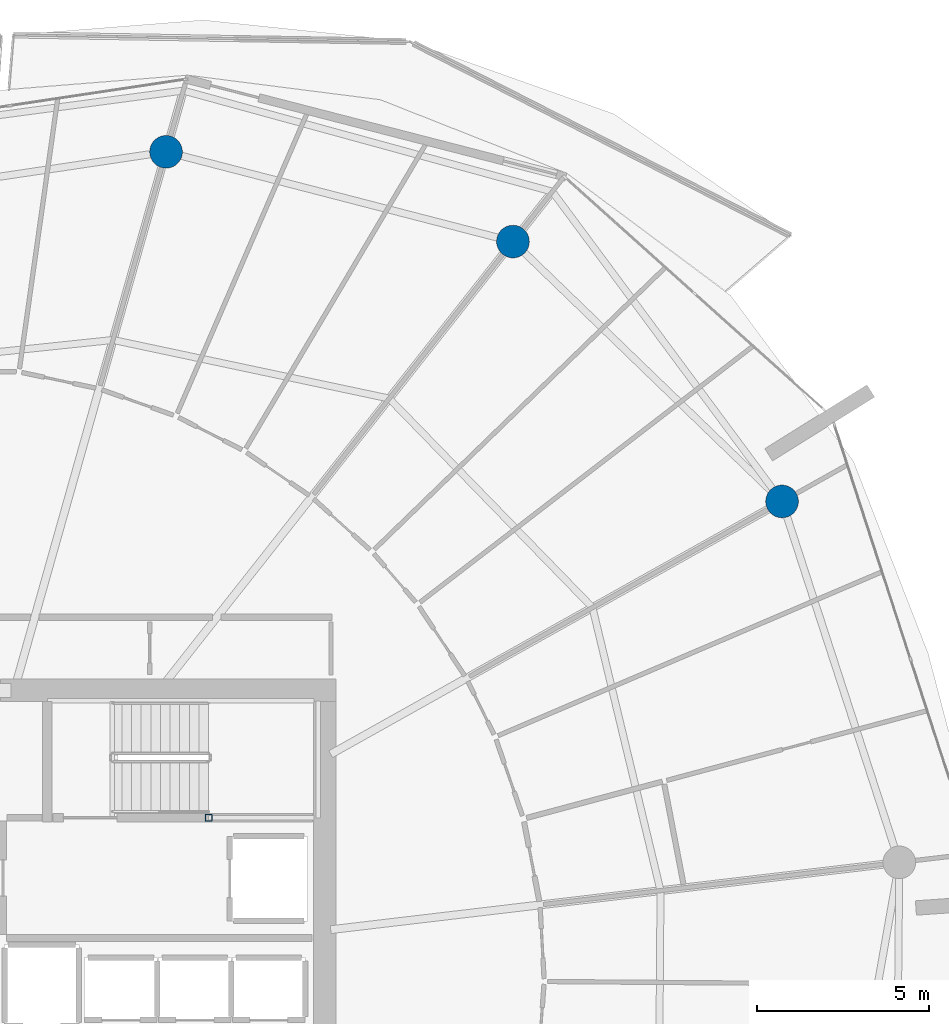
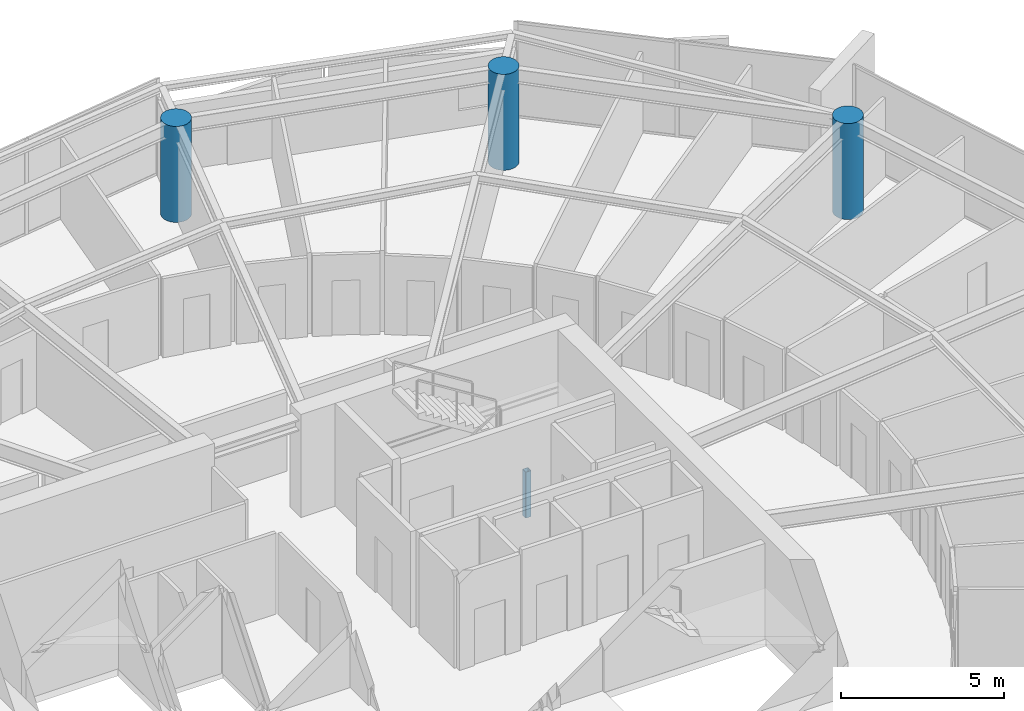
# One storey, part 5 of 30: 4 columns.
"""IFC4 building model written with IfcOpenShell, lengths in metres."""

from ifc_helpers import new_model, si_unit, direction, frame, origin, origin_2d, place, context, subcontext, project, spatial, hollow_rectangle, circle, extrude, material, material_profile, profile_set, type_object, element, save


model = new_model("IFC4")

# Units and contexts
model_context = context("Model", 3, precision=1e-05, world=origin(), true_north=direction((0.0, 1.0)))
body_context = subcontext(model_context, "Body", "Model", "MODEL_VIEW")
ifc_project = project(units=[si_unit("LENGTHUNIT", "METRE"), si_unit("AREAUNIT", "SQUARE_METRE"), si_unit("VOLUMEUNIT", "CUBIC_METRE"), si_unit("PLANEANGLEUNIT", "RADIAN"), si_unit("MASSUNIT", "GRAM", prefix="KILO")], contexts=[model_context])

# Site, building, storey
site_placement = place(None, origin())
site = spatial("IfcSite", under=ifc_project, at=site_placement, CompositionType="ELEMENT")
building_placement = place(site_placement, origin())
building = spatial("IfcBuilding", under=site, at=building_placement, Name="Kazma Halo Residences", CompositionType="ELEMENT")
storey_placement = place(building_placement, frame((0.0, 0.0, 267.5)))
storey = spatial("IfcBuildingStorey", under=building, at=storey_placement, Name="L67", CompositionType="ELEMENT", Elevation=267.5)

# Columns
ifc_material_1 = material(Name="Steel S355", Category="steel")
ifc_material_profile_1 = material_profile(ifc_material_1, hollow_rectangle(XDim=0.199951171875, YDim=0.199951171875, WallThickness=0.010009765625, InnerFilletRadius=0.010009765625, OuterFilletRadius=0.02001953125, at=origin_2d()), Name="SHS200x200x10")
ifc_profile_set_1 = profile_set([ifc_material_profile_1], Name="Steel S355")
column_type_1 = type_object("IfcColumnType", Name="COL-LP-SHS200", PredefinedType="COLUMN", material=ifc_profile_set_1)
column_placement = place(storey_placement, frame((56.0, 46.6201171875, 0.0), z_axis=(0.0, 0.0, 1.0), x_axis=(1.0, 0.0, 0.0)))
element("IfcColumn", 1, at=column_placement, inside=storey, type_object=column_type_1, Name="L67 ST-02 landing pilaster 1", PredefinedType="COLUMN", context=body_context, shape_type="SweptSolid", body=[
    extrude(hollow_rectangle(XDim=0.199951171875, YDim=0.199951171875, WallThickness=0.010009765625, InnerFilletRadius=0.010009765625, OuterFilletRadius=0.02001953125, at=origin_2d()), origin(), (0.0, 0.0, 1.0), 1.719970703125),
])
ifc_material_2 = material(Name="Concrete C60/75", Category="concrete")
ifc_material_profile_2 = material_profile(ifc_material_2, circle(Radius=0.47509765625, at=origin_2d()), Name="CIRC950")
ifc_profile_set_2 = profile_set([ifc_material_profile_2], Name="Concrete C60/75")
column_type_2 = type_object("IfcColumnType", Name="COL-PERIM-950", PredefinedType="COLUMN", material=ifc_profile_set_2)
for number, where, z_axis, x_axis, name in (
    (2, (72.67041015625, 55.81591796875, 0.0), (0.0, 0.0, 1.0), (1.0, 0.0, 0.0), "L67 perimeter ring column P01"),
    (3, (64.84716796875, 63.37060546875, 0.0), (0.0, 0.0, 1.0), (1.0, 0.0, 0.0), "L67 perimeter ring column P02"),
    (4, (54.762939453125, 65.9794921875, 0.0), (0.0, 0.0, 1.0), (1.0, 0.0, 0.0), "L67 perimeter ring column P03"),
):
    element("IfcColumn", number, at=place(storey_placement, frame(where, z_axis=z_axis, x_axis=x_axis)), inside=storey, type_object=column_type_2, Name=name, PredefinedType="COLUMN", context=body_context, shape_type="SweptSolid", body=[
        extrude(circle(Radius=0.47509765625, at=origin_2d()), origin(), (0.0, 0.0, 1.0), 3.590087890625),
    ])

save(model, "model.ifc")
